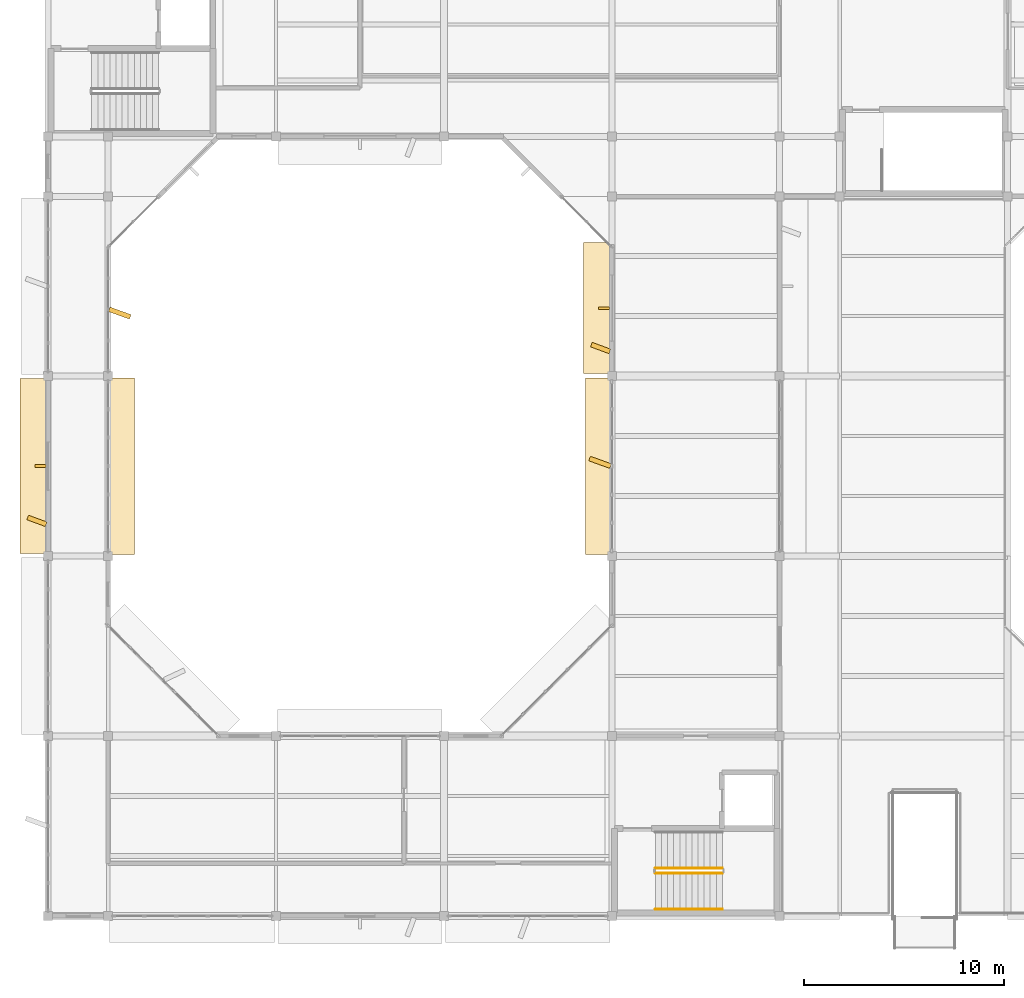
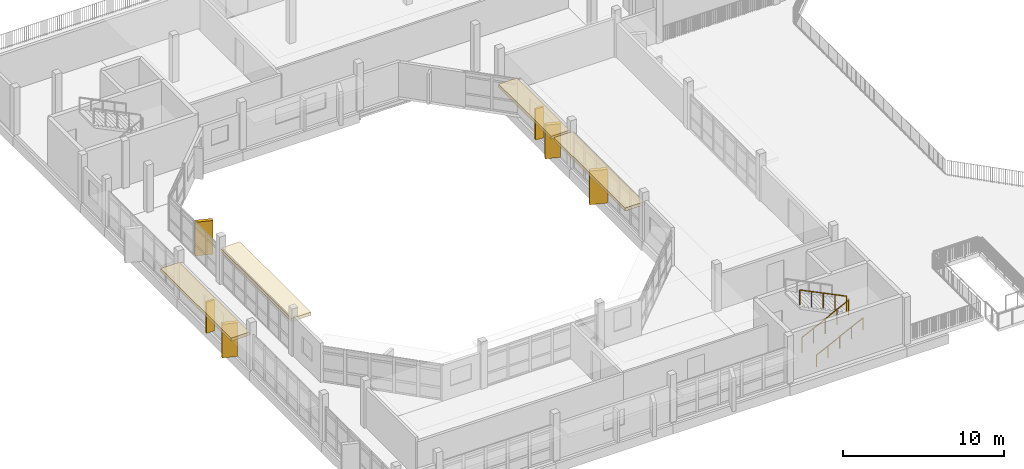
# One storey, part 28 of 42: 8 coverings, 3 railings, 2 shading devices.
"""IFC4 building model written with IfcOpenShell, lengths in metres."""

import ifcopenshell
import ifcopenshell.guid

model = None  # the IFC model being written
_history = None  # IfcOwnerHistory: only IFC2X3 demands one
_inside = {}  # id of a spatial element -> (the spatial element, [elements in it])
_under = {}  # id of a project, library or spatial element -> (it, [spatial elements below it])
_declared = {}  # id of a project -> (the project, [libraries it declares])
_typed = {}  # id of a type object -> (the type object, [elements of that type])
_made_of = {}  # id of a material, layer set ... -> (it, [elements and type objects made of it])


def new_model(schema):
    """Start an empty IFC model of exactly this schema.

    Asked for "IFC4X3", IfcOpenShell would pick the latest addendum, in which some entities
    have other attributes; the version numbers below select the first issue.
    IFC2X3 requires an IfcOwnerHistory on every rooted entity: one is made here for all.
    """
    global model, _history
    if schema == "IFC4X3":
        model = ifcopenshell.file(schema_version=(4, 3, 0, 0))
    else:
        model = ifcopenshell.file(schema=schema)
    _inside.clear()
    _under.clear()
    _declared.clear()
    _typed.clear()
    _made_of.clear()
    _history = None
    if model.schema == "IFC2X3":
        org = make("IfcOrganization", Name="unknown")
        user = make(
            "IfcPersonAndOrganization",
            ThePerson=make("IfcPerson", FamilyName="unknown"),
            TheOrganization=org,
        )
        app = make(
            "IfcApplication",
            ApplicationDeveloper=org,
            Version="unknown",
            ApplicationFullName="unknown",
            ApplicationIdentifier="unknown",
        )
        _history = make(
            "IfcOwnerHistory",
            OwningUser=user,
            OwningApplication=app,
            ChangeAction="ADDED",
            CreationDate=0,
        )
    return model


def make(cls, **values):
    """One entity of the class cls with the attributes given. An attribute that is None is left unset."""
    return model.create_entity(
        cls, **{name: value for name, value in values.items() if value is not None}
    )


def rooted(cls, **values):
    """An entity with a GlobalId (a new one), such as an element, a storey or a relation."""
    return make(cls, GlobalId=ifcopenshell.guid.new(), OwnerHistory=_history, **values)


def si_unit(unit_type, name, prefix=None):
    """IfcSIUnit, for example si_unit("LENGTHUNIT", "METRE", prefix="MILLI")."""
    return make("IfcSIUnit", UnitType=unit_type, Prefix=prefix, Name=name)


def assignment(units):
    """IfcUnitAssignment: the units of a project."""
    return None if units is None else make("IfcUnitAssignment", Units=units)


def point(xyz):
    """IfcCartesianPoint."""
    return None if xyz is None else make("IfcCartesianPoint", Coordinates=xyz)


def direction(xyz):
    """IfcDirection."""
    return None if xyz is None else make("IfcDirection", DirectionRatios=xyz)


def frame(location, z_axis=None, x_axis=None):
    """IfcAxis2Placement3D, a coordinate frame: its origin and axes. An axis left out is left unset."""
    return make(
        "IfcAxis2Placement3D",
        Location=point(location),
        Axis=direction(z_axis),
        RefDirection=direction(x_axis),
    )


def frame_2d(location, x_axis=None):
    """IfcAxis2Placement2D, a coordinate frame in the plane: its origin and x axis."""
    return make(
        "IfcAxis2Placement2D", Location=point(location), RefDirection=direction(x_axis)
    )


def origin():
    """The frame at (0, 0, 0) with its axes left unset."""
    return frame((0.0, 0.0, 0.0))


def origin_2d():
    """The frame at (0, 0) in the plane with its x axis left unset."""
    return frame_2d((0.0, 0.0))


def place(relative_to, where):
    """IfcLocalPlacement: puts the frame where relative to a parent placement (None: the world)."""
    return make(
        "IfcLocalPlacement", PlacementRelTo=relative_to, RelativePlacement=where
    )


def context(
    kind, dimensions, precision=None, world=None, true_north=None, identifier=None
):
    """IfcGeometricRepresentationContext, for example the 3D "Model" context."""
    return make(
        "IfcGeometricRepresentationContext",
        ContextIdentifier=identifier,
        ContextType=kind,
        CoordinateSpaceDimension=dimensions,
        Precision=precision,
        WorldCoordinateSystem=world,
        TrueNorth=true_north,
    )


def subcontext(parent, identifier, kind, view, scale=None):
    """IfcGeometricRepresentationSubContext, for example "Body" below "Model"."""
    return make(
        "IfcGeometricRepresentationSubContext",
        ContextIdentifier=identifier,
        ContextType=kind,
        ParentContext=parent,
        TargetScale=scale,
        TargetView=view,
    )


def project(units=None, contexts=None):
    """IfcProject with its units and contexts."""
    return rooted(
        "IfcProject",
        Name="project",
        RepresentationContexts=contexts,
        UnitsInContext=assignment(units),
    )


def spatial(cls, under=None, at=None, **own):
    """A site, building, storey or space (cls), placed at a placement, below another one or the project."""
    s = rooted(cls, ObjectPlacement=at, **own)
    if under is not None:
        _under.setdefault(under.id(), (under, []))[1].append(s)
    return s


def profile(cls, at=None, kind="AREA", **sizes):
    """A parametric profile (cls). Its sizes go by their IFC names, for example OverallWidth=200.0."""
    return make(cls, ProfileType=kind, Position=at, **sizes)


def rectangle(**sizes):
    """IfcRectangleProfileDef."""
    return profile("IfcRectangleProfileDef", **sizes)


def circle(**sizes):
    """IfcCircleProfileDef."""
    return profile("IfcCircleProfileDef", **sizes)


def extrude(swept, where, along, depth):
    """IfcExtrudedAreaSolid: the profile swept, set in the frame where, extruded along a direction by depth."""
    return make(
        "IfcExtrudedAreaSolid",
        SweptArea=swept,
        Position=where,
        ExtrudedDirection=direction(along),
        Depth=depth,
    )


def shape(context_of_items, identifier, shape_type, items):
    """IfcShapeRepresentation: the items that make up one representation, for example the "Body"."""
    return make(
        "IfcShapeRepresentation",
        ContextOfItems=context_of_items,
        RepresentationIdentifier=identifier,
        RepresentationType=shape_type,
        Items=items,
    )


def material(Name=None, Category=None):
    """IfcMaterial."""
    return make("IfcMaterial", Name=Name, Category=Category)


def layer(
    of_material, thickness, ventilated=None, Name=None, Category=None, Priority=None
):
    """IfcMaterialLayer: one layer of a wall or slab, of a material (None: an air gap)."""
    return make(
        "IfcMaterialLayer",
        Material=of_material,
        LayerThickness=thickness,
        IsVentilated=ventilated,
        Name=Name,
        Category=Category,
        Priority=Priority,
    )


def layer_set(layers, Name=None):
    """IfcMaterialLayerSet."""
    return make("IfcMaterialLayerSet", MaterialLayers=layers, LayerSetName=Name)


def made_of(thing, what):
    """Note that an element or type object is made of a material, layer set ...; save() writes the relation."""
    if what is not None:
        _made_of.setdefault(what.id(), (what, []))[1].append(thing)
    return thing


def type_object(cls, material=None, **own):
    """A type object (cls), such as IfcWallType, which elements share."""
    return made_of(rooted(cls, **own), material)


def element(
    cls,
    number,
    at=None,
    inside=None,
    cuts=None,
    type_object=None,
    material=None,
    context=None,
    identifier="Body",
    shape_type=None,
    held_by="IfcProductDefinitionShape",
    body=None,
    shapes=None,
    **own,
):
    """One element of the class cls, such as IfcWall. Its Tag is "e" and its number.

    at: its placement. inside: the storey or other place that contains it. cuts: it is an
    opening in that element (IfcRelVoidsElement). A single representation is given by context,
    identifier, shape_type and body (its items); several are given by shapes. held_by: the class
    of the entity that holds the representations. save() writes the other relations.
    """
    e = rooted(cls, Tag="e%d" % number, ObjectPlacement=at, **own)
    if body is not None:
        shapes = [shape(context, identifier, shape_type, body)]
    if shapes is not None:
        e.Representation = make(held_by, Representations=shapes)
    if inside is not None:
        _inside.setdefault(inside.id(), (inside, []))[1].append(e)
    if cuts is not None:
        rooted(
            "IfcRelVoidsElement", RelatingBuildingElement=cuts, RelatedOpeningElement=e
        )
    if type_object is not None:
        _typed.setdefault(type_object.id(), (type_object, []))[1].append(e)
    return made_of(e, material)


def aggregate(whole, parts):
    """IfcRelAggregates: a whole, such as a stair, and the parts it consists of."""
    return rooted("IfcRelAggregates", RelatingObject=whole, RelatedObjects=parts)


def save(model, path):
    """Write the relations noted so far, then the file.

    IfcRelAggregates (storeys below a building ...), IfcRelContainedInSpatialStructure (elements
    in a storey), IfcRelDefinesByType, IfcRelAssociatesMaterial and IfcRelDeclares: one each for
    every whole, place, type object, material and project.
    """
    for whole, parts in _under.values():
        aggregate(whole, parts)
    for where, things in _inside.values():
        rooted(
            "IfcRelContainedInSpatialStructure",
            RelatedElements=things,
            RelatingStructure=where,
        )
    for kind, things in _typed.values():
        rooted("IfcRelDefinesByType", RelatedObjects=things, RelatingType=kind)
    for what, things in _made_of.values():
        rooted("IfcRelAssociatesMaterial", RelatedObjects=things, RelatingMaterial=what)
    for by, libraries in _declared.values():
        rooted("IfcRelDeclares", RelatingContext=by, RelatedDefinitions=libraries)
    model.write(path)


model = new_model("IFC4")

# Units and contexts
model_context = context("Model", 3, precision=1e-05, world=origin(), true_north=direction((0.0, 1.0)))
body_context = subcontext(model_context, "Body", "Model", "MODEL_VIEW")
ifc_project = project(units=[si_unit("LENGTHUNIT", "METRE"), si_unit("AREAUNIT", "SQUARE_METRE"), si_unit("VOLUMEUNIT", "CUBIC_METRE"), si_unit("PLANEANGLEUNIT", "RADIAN"), si_unit("MASSUNIT", "GRAM", prefix="KILO")], contexts=[model_context])

# Site, building, storey
site_placement = place(None, origin())
site = spatial("IfcSite", under=ifc_project, at=site_placement, CompositionType="ELEMENT")
building_placement = place(site_placement, origin())
building = spatial("IfcBuilding", under=site, at=building_placement, Name="Vanh Quang Courtyard School", CompositionType="ELEMENT")
storey_placement = place(building_placement, frame((0.0, 0.0, 15.0)))
storey = spatial("IfcBuildingStorey", under=building, at=storey_placement, Name="L04", CompositionType="ELEMENT", Elevation=15.0)

# Coverings
ifc_material_1 = material(Name="Board-marked precast concrete C40/50", Category="concrete")
ifc_layer = layer(ifc_material_1, 0.239990234375)
ifc_layer_set = layer_set([ifc_layer], Name="Board-marked precast concrete C40/50")
covering_type = type_object("IfcCoveringType", Name="COV-HOOD-CONC", PredefinedType="CLADDING", material=ifc_layer_set)
covering_1_placement = place(storey_placement, frame((37.070068359375, 54.89990234375, 2.41015625), z_axis=(0.0, 0.0, 1.0), x_axis=(0.0, 1.0, 0.0)))
element("IfcCovering", 1, at=covering_1_placement, inside=storey, type_object=covering_type, Name="Covering CH-01 (L04)", PredefinedType="CLADDING", context=body_context, shape_type="SweptSolid", body=[
    extrude(rectangle(XDim=8.75390625, YDim=1.35009765625, at=origin_2d()), origin(), (0.0, 0.0, 1.0), 0.239990234375),
])
covering_2_placement = place(storey_placement, frame((37.239990234375, 52.16162109375, 0.0), z_axis=(0.0, 0.0, 1.0), x_axis=(-0.938009980858, 0.346608245445, 0.0)))
element("IfcCovering", 2, at=covering_2_placement, inside=storey, type_object=covering_type, Name="Covering CH-01 (L04)", PredefinedType="CLADDING", context=body_context, shape_type="SweptSolid", body=[
    extrude(rectangle(XDim=0.980712890625, YDim=0.239990234375, at=origin_2d()), origin(), (0.0, 0.0, 1.0), 2.56005859375),
])
covering_3_placement = place(storey_placement, frame((41.385009765625, 62.554443359375, 0.0), z_axis=(0.0, 0.0, 1.0), x_axis=(0.94028812701, -0.340379550213, 0.0)))
element("IfcCovering", 3, at=covering_3_placement, inside=storey, type_object=covering_type, Name="Covering CH-01 (L04)", PredefinedType="CLADDING", context=body_context, shape_type="SweptSolid", body=[
    extrude(rectangle(XDim=1.11669921875, YDim=0.239990234375, at=origin_2d()), origin(), (0.0, 0.0, 1.0), 2.56005859375),
])
for number, where, z_axis, x_axis, name in (
    (4, (41.419921875, 54.89990234375, 2.41015625), (0.0, 0.0, 1.0), (0.0, -1.0, 0.0), "Covering CH-01 (L04)"),
    (5, (65.3798828125, 54.89990234375, 2.41015625), (0.0, 0.0, 1.0), (0.0, 1.0, 0.0), "Covering CH-01 (L04)"),
):
    element("IfcCovering", number, at=place(storey_placement, frame(where, z_axis=z_axis, x_axis=x_axis)), inside=storey, type_object=covering_type, Name=name, PredefinedType="CLADDING", context=body_context, shape_type="SweptSolid", body=[
        extrude(rectangle(XDim=8.833984375, YDim=1.39990234375, at=origin_2d()), origin(), (0.0, 0.0, 1.0), 0.239990234375),
    ])
covering_4_placement = place(storey_placement, frame((65.4150390625, 55.090087890625, 0.0), z_axis=(0.0, 0.0, 1.0), x_axis=(-0.94028812701, 0.340379550213, 0.0)))
element("IfcCovering", 6, at=covering_4_placement, inside=storey, type_object=covering_type, Name="Covering CH-01 (L04)", PredefinedType="CLADDING", context=body_context, shape_type="SweptSolid", body=[
    extrude(rectangle(XDim=1.11669921875, YDim=0.239990234375, at=origin_2d()), origin(), (0.0, 0.0, 1.0), 2.56005859375),
])
covering_5_placement = place(storey_placement, frame((65.27001953125, 62.799560546875, 2.41015625), z_axis=(0.0, 0.0, 1.0), x_axis=(0.0, 1.0, 0.0)))
element("IfcCovering", 7, at=covering_5_placement, inside=storey, type_object=covering_type, Name="Covering CH-01 (L04)", PredefinedType="CLADDING", context=body_context, shape_type="SweptSolid", body=[
    extrude(rectangle(XDim=6.552978515625, YDim=1.35009765625, at=origin_2d()), origin(), (0.0, 0.0, 1.0), 0.239990234375),
])
covering_6_placement = place(storey_placement, frame((65.43994140625, 60.8095703125, 0.0), z_axis=(0.0, 0.0, 1.0), x_axis=(-0.938009980858, 0.346608245445, 0.0)))
element("IfcCovering", 8, at=covering_6_placement, inside=storey, type_object=covering_type, Name="Covering CH-01 (L04)", PredefinedType="CLADDING", context=body_context, shape_type="SweptSolid", body=[
    extrude(rectangle(XDim=0.980712890625, YDim=0.239990234375, at=origin_2d()), origin(), (0.0, 0.0, 1.0), 2.56005859375),
])

# Railings
ifc_material_2 = material(Name="Galvanised painted steel EN 10025-2 S355J2", Category="steel")
railing_type_1 = type_object("IfcRailingType", Name="RAIL-GUARD-1150", PredefinedType="BALUSTRADE", material=ifc_material_2)
railing_1_placement = place(storey_placement, frame((68.179931640625, 34.530029296875, 0.14990234375)))
element("IfcRailing", 9, at=railing_1_placement, inside=storey, type_object=railing_type_1, Name="L04 ST-04 stair guard 1", PredefinedType="BALUSTRADE", context=body_context, shape_type="SweptSolid", body=[
    extrude(circle(Radius=0.02392578125, at=origin_2d()), frame((0.0, 0.0, 1.1259765625), z_axis=(0.89733343241, 0.0, 0.441353272424), x_axis=(0.0, 1.0, 0.0)), (0.0, 0.0, 1.0), 3.73876953125),
    extrude(circle(Radius=0.02099609375, at=origin_2d()), origin(), (0.0, 0.0, 1.0), 1.101806640625),
    extrude(circle(Radius=0.02099609375, at=origin_2d()), frame((0.8388671875, 0.0, 0.41259765625)), (0.0, 0.0, 1.0), 1.101806640625),
    extrude(circle(Radius=0.02099609375, at=origin_2d()), frame((1.677490234375, 0.0, 0.8251953125)), (0.0, 0.0, 1.0), 1.101806640625),
    extrude(circle(Radius=0.02099609375, at=origin_2d()), frame((2.51611328125, 0.0, 1.237548828125)), (0.0, 0.0, 1.0), 1.101806640625),
    extrude(circle(Radius=0.02099609375, at=origin_2d()), frame((3.35498046875, 0.0, 1.650146484375)), (0.0, 0.0, 1.0), 1.101806640625),
])
railing_2_placement = place(storey_placement, frame((71.534912109375, 34.7900390625, 1.949951171875)))
element("IfcRailing", 10, at=railing_2_placement, inside=storey, type_object=railing_type_1, Name="L04 ST-04 stair guard 3", PredefinedType="BALUSTRADE", context=body_context, shape_type="SweptSolid", body=[
    extrude(circle(Radius=0.02392578125, at=origin_2d()), frame((0.0, 0.0, 1.1259765625), z_axis=(-0.89733343241, 0.0, 0.441353272424), x_axis=(0.0, -1.0, 0.0)), (0.0, 0.0, 1.0), 3.73876953125),
    extrude(circle(Radius=0.02099609375, at=origin_2d()), origin(), (0.0, 0.0, 1.0), 1.101806640625),
    extrude(circle(Radius=0.02099609375, at=origin_2d()), frame((-0.8388671875, 0.0, 0.41259765625)), (0.0, 0.0, 1.0), 1.101806640625),
    extrude(circle(Radius=0.02099609375, at=origin_2d()), frame((-1.677490234375, 0.0, 0.8251953125)), (0.0, 0.0, 1.0), 1.101806640625),
    extrude(circle(Radius=0.02099609375, at=origin_2d()), frame((-2.51611328125, 0.0, 1.237548828125)), (0.0, 0.0, 1.0), 1.101806640625),
    extrude(circle(Radius=0.02099609375, at=origin_2d()), frame((-3.35498046875, 0.0, 1.650146484375)), (0.0, 0.0, 1.0), 1.101806640625),
])
ifc_material_3 = material(Name="Brushed stainless steel", Category="steel")
railing_type_2 = type_object("IfcRailingType", Name="RAIL-HAND-900", PredefinedType="HANDRAIL", material=ifc_material_3)
railing_3_placement = place(storey_placement, frame((68.179931640625, 32.72998046875, 0.14990234375)))
element("IfcRailing", 11, at=railing_3_placement, inside=storey, type_object=railing_type_2, Name="L04 ST-04 stair handrail 1", PredefinedType="HANDRAIL", context=body_context, shape_type="SweptSolid", body=[
    extrude(circle(Radius=0.02392578125, at=origin_2d()), frame((0.0, 0.0, 0.8759765625), z_axis=(0.89733343241, 0.0, 0.441353272424), x_axis=(0.0, 1.0, 0.0)), (0.0, 0.0, 1.0), 3.73876953125),
    extrude(circle(Radius=0.02099609375, at=origin_2d()), origin(), (0.0, 0.0, 1.0), 0.851806640625),
    extrude(circle(Radius=0.02099609375, at=origin_2d()), frame((0.8388671875, 0.0, 0.41259765625)), (0.0, 0.0, 1.0), 0.851806640625),
    extrude(circle(Radius=0.02099609375, at=origin_2d()), frame((1.677490234375, 0.0, 0.8251953125)), (0.0, 0.0, 1.0), 0.851806640625),
    extrude(circle(Radius=0.02099609375, at=origin_2d()), frame((2.51611328125, 0.0, 1.237548828125)), (0.0, 0.0, 1.0), 0.851806640625),
    extrude(circle(Radius=0.02099609375, at=origin_2d()), frame((3.35498046875, 0.0, 1.650146484375)), (0.0, 0.0, 1.0), 0.851806640625),
])

# Shading devices
shading_device_type = type_object("IfcShadingDeviceType", Name="SHD-FIN-CONCRETE", PredefinedType="USERDEFINED", material=ifc_material_1)
for number, where, z_axis, x_axis, name in (
    (12, (37.4150390625, 54.89990234375, 0.14990234375), (0.0, 0.0, 1.0), (0.0, 1.0, 0.0), "Solar Shading SH-02 (L04)"),
    (13, (65.614990234375, 62.799560546875, 0.14990234375), (0.0, 0.0, 1.0), (0.0, 1.0, 0.0), "Solar Shading SH-02 (L04)"),
):
    element("IfcShadingDevice", number, at=place(storey_placement, frame(where, z_axis=z_axis, x_axis=x_axis)), inside=storey, type_object=shading_device_type, Name=name, ObjectType="Solar Shading SH-02 (L04)", PredefinedType="USERDEFINED", context=body_context, shape_type="SweptSolid", body=[
        extrude(rectangle(XDim=0.139892578125, YDim=0.550048828125, at=origin_2d()), origin(), (0.0, 0.0, 1.0), 2.35009765625),
    ])

save(model, "model.ifc")
